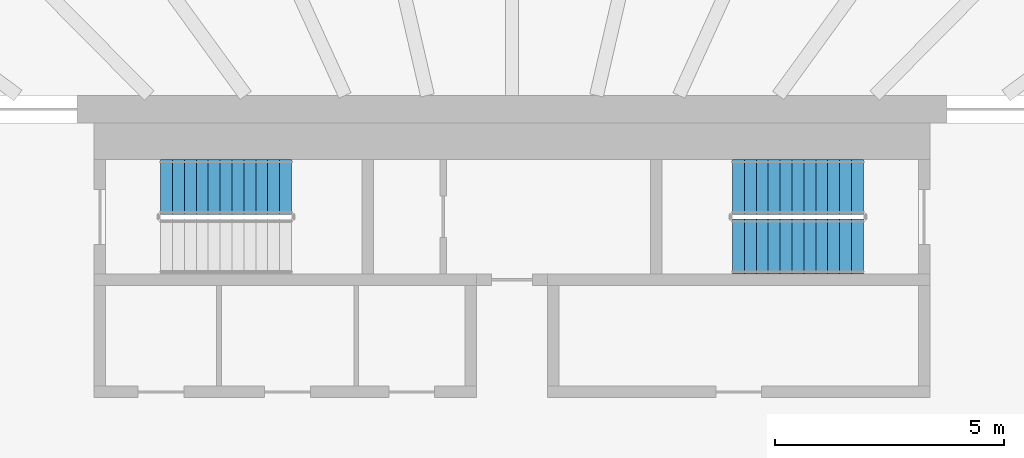
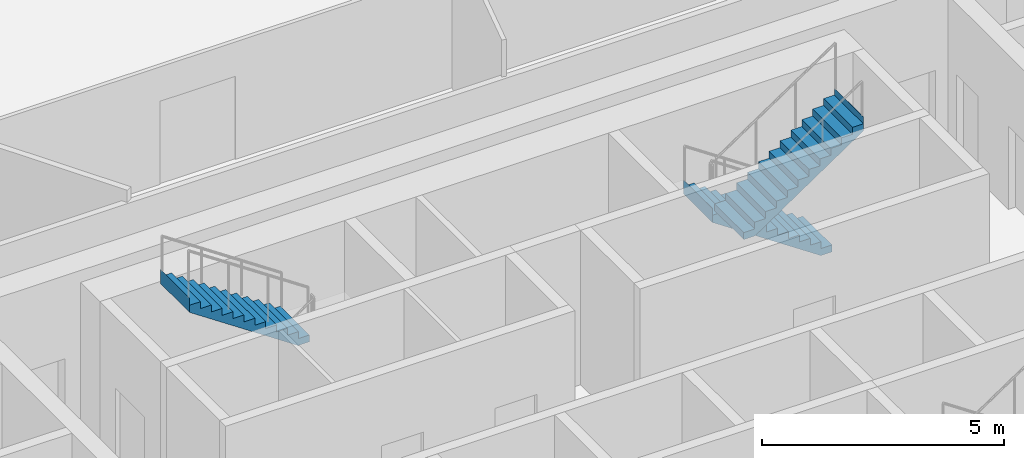
# One storey, part 19 of 25: 3 stair flights, 2 elements without a shape of their own.
"""IFC4 building model written with IfcOpenShell, lengths in metres."""

from ifc_helpers import new_model, si_unit, direction, frame, origin, place, context, subcontext, project, spatial, triangles, material, type_object, element, aggregate, save


model = new_model("IFC4")

# Units and contexts
model_context = context("Model", 3, precision=1e-05, world=origin(), true_north=direction((0.0, 1.0)))
body_context = subcontext(model_context, "Body", "Model", "MODEL_VIEW")
ifc_project = project(units=[si_unit("LENGTHUNIT", "METRE"), si_unit("AREAUNIT", "SQUARE_METRE"), si_unit("VOLUMEUNIT", "CUBIC_METRE"), si_unit("PLANEANGLEUNIT", "RADIAN"), si_unit("MASSUNIT", "GRAM", prefix="KILO")], contexts=[model_context])

# Site, building, storey
site_placement = place(None, origin())
site = spatial("IfcSite", under=ifc_project, at=site_placement, CompositionType="ELEMENT")
building_placement = place(site_placement, origin())
building = spatial("IfcBuilding", under=site, at=building_placement, Name="Sahrelin Media Tower", CompositionType="ELEMENT")
storey_placement = place(building_placement, frame((0.0, 0.0, 144.0)))
storey = spatial("IfcBuildingStorey", under=building, at=storey_placement, Name="L29", CompositionType="ELEMENT", Elevation=144.0)

# Stair, stair flight
ifc_material = material(Name="Concrete C40/50", Category="concrete")
stair_type = type_object("IfcStairType", Name="Exit stair 1200", PredefinedType="HALF_TURN_STAIR", material=ifc_material)
placement = place(storey_placement, origin())
stair_1 = element("IfcStair", 1, at=placement, inside=storey, type_object=stair_type, Name="L29 Exit stair ST1", PredefinedType="HALF_TURN_STAIR")
stair_flight_type = type_object("IfcStairFlightType", Name="Stair flight 1200", PredefinedType="STRAIGHT", material=ifc_material)
stair_flight_1_placement = place(storey_placement, frame((-4.81494140625, 6.0, 2.10009765625), z_axis=(0.0, 0.0, 1.0), x_axis=(-1.0, 0.0, 0.0)))
stair_flight_1 = element("IfcStairFlight", 2, at=stair_flight_1_placement, type_object=stair_flight_type, Name="ST1 flight 2", NumberOfRisers=12, NumberOfTreads=11, PredefinedType="STRAIGHT", RiserHeight=0.175, TreadLength=0.26, context=body_context, shape_type="Tessellation", body=[
    triangles([(0.2685546875, 0.60009765625, 0.0), (0.2685546875, 0.300048828125, 0.0), (0.2685546875, 0.0, 0.0), (0.2685546875, -0.300048828125, 0.0), (0.2685546875, -0.60009765625, 0.0), (2.860107421875, 0.60009765625, 1.744384765625), (2.860107421875, 0.300048828125, 1.744384765625), (2.860107421875, 0.0, 1.744384765625), (2.860107421875, -0.300048828125, 1.744384765625), (2.860107421875, -0.60009765625, 1.744384765625), (2.860107421875, 0.60009765625, 2.10009765625), (2.860107421875, 0.300048828125, 2.10009765625), (2.860107421875, 0.0, 2.10009765625), (2.860107421875, -0.300048828125, 2.10009765625), (2.860107421875, -0.60009765625, 2.10009765625), (2.85791015625, 0.60009765625, 2.10009765625), (2.85791015625, 0.300048828125, 2.10009765625), (2.85791015625, 0.0, 2.10009765625), (2.85791015625, -0.300048828125, 2.10009765625), (2.85791015625, -0.60009765625, 2.10009765625), (2.85791015625, 0.60009765625, 1.925048828125), (2.85791015625, 0.300048828125, 1.925048828125), (2.85791015625, 0.0, 1.925048828125), (2.85791015625, -0.300048828125, 1.925048828125), (2.85791015625, -0.60009765625, 1.925048828125), (2.60009765625, 0.60009765625, 1.925048828125), (2.60009765625, 0.300048828125, 1.925048828125), (2.60009765625, 0.0, 1.925048828125), (2.60009765625, -0.300048828125, 1.925048828125), (2.60009765625, -0.60009765625, 1.925048828125), (2.60009765625, 0.60009765625, 1.75), (2.60009765625, 0.300048828125, 1.75), (2.60009765625, 0.0, 1.75), (2.60009765625, -0.300048828125, 1.75), (2.60009765625, -0.60009765625, 1.75), (2.340087890625, 0.60009765625, 1.75), (2.340087890625, 0.300048828125, 1.75), (2.340087890625, 0.0, 1.75), (2.340087890625, -0.300048828125, 1.75), (2.340087890625, -0.60009765625, 1.75), (2.340087890625, 0.60009765625, 1.574951171875), (2.340087890625, 0.300048828125, 1.574951171875), (2.340087890625, 0.0, 1.574951171875), (2.340087890625, -0.300048828125, 1.574951171875), (2.340087890625, -0.60009765625, 1.574951171875), (2.080078125, 0.60009765625, 1.574951171875), (2.080078125, 0.300048828125, 1.574951171875), (2.080078125, 0.0, 1.574951171875), (2.080078125, -0.300048828125, 1.574951171875), (2.080078125, -0.60009765625, 1.574951171875), (2.080078125, 0.60009765625, 1.39990234375), (2.080078125, 0.300048828125, 1.39990234375), (2.080078125, 0.0, 1.39990234375), (2.080078125, -0.300048828125, 1.39990234375), (2.080078125, -0.60009765625, 1.39990234375), (1.820068359375, 0.60009765625, 1.39990234375), (1.820068359375, 0.300048828125, 1.39990234375), (1.820068359375, 0.0, 1.39990234375), (1.820068359375, -0.300048828125, 1.39990234375), (1.820068359375, -0.60009765625, 1.39990234375), (1.820068359375, 0.60009765625, 1.22509765625), (1.820068359375, 0.300048828125, 1.22509765625), (1.820068359375, 0.0, 1.22509765625), (1.820068359375, -0.300048828125, 1.22509765625), (1.820068359375, -0.60009765625, 1.22509765625), (1.56005859375, 0.60009765625, 1.22509765625), (1.56005859375, 0.300048828125, 1.22509765625), (1.56005859375, 0.0, 1.22509765625), (1.56005859375, -0.300048828125, 1.22509765625), (1.56005859375, -0.60009765625, 1.22509765625), (1.56005859375, 0.60009765625, 1.050048828125), (1.56005859375, 0.300048828125, 1.050048828125), (1.56005859375, 0.0, 1.050048828125), (1.56005859375, -0.300048828125, 1.050048828125), (1.56005859375, -0.60009765625, 1.050048828125), (1.300048828125, 0.60009765625, 1.050048828125), (1.300048828125, 0.300048828125, 1.050048828125), (1.300048828125, 0.0, 1.050048828125), (1.300048828125, -0.300048828125, 1.050048828125), (1.300048828125, -0.60009765625, 1.050048828125), (1.300048828125, 0.60009765625, 0.875), (1.300048828125, 0.300048828125, 0.875), (1.300048828125, 0.0, 0.875), (1.300048828125, -0.300048828125, 0.875), (1.300048828125, -0.60009765625, 0.875), (1.0400390625, 0.60009765625, 0.875), (1.0400390625, 0.300048828125, 0.875), (1.0400390625, 0.0, 0.875), (1.0400390625, -0.300048828125, 0.875), (1.0400390625, -0.60009765625, 0.875), (1.0400390625, 0.60009765625, 0.699951171875), (1.0400390625, 0.300048828125, 0.699951171875), (1.0400390625, 0.0, 0.699951171875), (1.0400390625, -0.300048828125, 0.699951171875), (1.0400390625, -0.60009765625, 0.699951171875), (0.780029296875, 0.60009765625, 0.699951171875), (0.780029296875, 0.300048828125, 0.699951171875), (0.780029296875, 0.0, 0.699951171875), (0.780029296875, -0.300048828125, 0.699951171875), (0.780029296875, -0.60009765625, 0.699951171875), (0.780029296875, 0.60009765625, 0.52490234375), (0.780029296875, 0.300048828125, 0.52490234375), (0.780029296875, 0.0, 0.52490234375), (0.780029296875, -0.300048828125, 0.52490234375), (0.780029296875, -0.60009765625, 0.52490234375), (0.52001953125, 0.60009765625, 0.52490234375), (0.52001953125, 0.300048828125, 0.52490234375), (0.52001953125, 0.0, 0.52490234375), (0.52001953125, -0.300048828125, 0.52490234375), (0.52001953125, -0.60009765625, 0.52490234375), (0.52001953125, 0.60009765625, 0.35009765625), (0.52001953125, 0.300048828125, 0.35009765625), (0.52001953125, 0.0, 0.35009765625), (0.52001953125, -0.300048828125, 0.35009765625), (0.52001953125, -0.60009765625, 0.35009765625), (0.260009765625, 0.60009765625, 0.35009765625), (0.260009765625, 0.300048828125, 0.35009765625), (0.260009765625, 0.0, 0.35009765625), (0.260009765625, -0.300048828125, 0.35009765625), (0.260009765625, -0.60009765625, 0.35009765625), (0.260009765625, 0.60009765625, 0.175048828125), (0.260009765625, 0.300048828125, 0.175048828125), (0.260009765625, 0.0, 0.175048828125), (0.260009765625, -0.300048828125, 0.175048828125), (0.260009765625, -0.60009765625, 0.175048828125), (0.0, 0.60009765625, 0.175048828125), (0.0, 0.300048828125, 0.175048828125), (0.0, 0.0, 0.175048828125), (0.0, -0.300048828125, 0.175048828125), (0.0, -0.60009765625, 0.175048828125), (0.0, 0.60009765625, 0.0), (0.0, 0.300048828125, 0.0), (0.0, 0.0, 0.0), (0.0, -0.300048828125, 0.0), (0.0, -0.60009765625, 0.0)], [[1, 6, 7], [1, 7, 2], [2, 7, 8], [2, 8, 3], [3, 8, 9], [3, 9, 4], [4, 9, 10], [4, 10, 5], [6, 11, 12], [6, 12, 7], [7, 12, 13], [7, 13, 8], [8, 13, 14], [8, 14, 9], [9, 14, 15], [9, 15, 10], [11, 16, 17], [11, 17, 12], [12, 17, 18], [12, 18, 13], [13, 18, 19], [13, 19, 14], [14, 19, 20], [14, 20, 15], [16, 21, 22], [16, 22, 17], [17, 22, 23], [17, 23, 18], [18, 23, 24], [18, 24, 19], [19, 24, 25], [19, 25, 20], [21, 26, 27], [21, 27, 22], [22, 27, 28], [22, 28, 23], [23, 28, 29], [23, 29, 24], [24, 29, 30], [24, 30, 25], [26, 31, 32], [26, 32, 27], [27, 32, 33], [27, 33, 28], [28, 33, 34], [28, 34, 29], [29, 34, 35], [29, 35, 30], [31, 36, 37], [31, 37, 32], [32, 37, 38], [32, 38, 33], [33, 38, 39], [33, 39, 34], [34, 39, 40], [34, 40, 35], [36, 41, 42], [36, 42, 37], [37, 42, 43], [37, 43, 38], [38, 43, 44], [38, 44, 39], [39, 44, 45], [39, 45, 40], [41, 46, 47], [41, 47, 42], [42, 47, 48], [42, 48, 43], [43, 48, 49], [43, 49, 44], [44, 49, 50], [44, 50, 45], [46, 51, 52], [46, 52, 47], [47, 52, 53], [47, 53, 48], [48, 53, 54], [48, 54, 49], [49, 54, 55], [49, 55, 50], [51, 56, 57], [51, 57, 52], [52, 57, 58], [52, 58, 53], [53, 58, 59], [53, 59, 54], [54, 59, 60], [54, 60, 55], [56, 61, 62], [56, 62, 57], [57, 62, 63], [57, 63, 58], [58, 63, 64], [58, 64, 59], [59, 64, 65], [59, 65, 60], [61, 66, 67], [61, 67, 62], [62, 67, 68], [62, 68, 63], [63, 68, 69], [63, 69, 64], [64, 69, 70], [64, 70, 65], [66, 71, 72], [66, 72, 67], [67, 72, 73], [67, 73, 68], [68, 73, 74], [68, 74, 69], [69, 74, 75], [69, 75, 70], [71, 76, 77], [71, 77, 72], [72, 77, 78], [72, 78, 73], [73, 78, 79], [73, 79, 74], [74, 79, 80], [74, 80, 75], [76, 81, 82], [76, 82, 77], [77, 82, 83], [77, 83, 78], [78, 83, 84], [78, 84, 79], [79, 84, 85], [79, 85, 80], [81, 86, 87], [81, 87, 82], [82, 87, 88], [82, 88, 83], [83, 88, 89], [83, 89, 84], [84, 89, 90], [84, 90, 85], [86, 91, 92], [86, 92, 87], [87, 92, 93], [87, 93, 88], [88, 93, 94], [88, 94, 89], [89, 94, 95], [89, 95, 90], [91, 96, 97], [91, 97, 92], [92, 97, 98], [92, 98, 93], [93, 98, 99], [93, 99, 94], [94, 99, 100], [94, 100, 95], [96, 101, 102], [96, 102, 97], [97, 102, 103], [97, 103, 98], [98, 103, 104], [98, 104, 99], [99, 104, 105], [99, 105, 100], [101, 106, 107], [101, 107, 102], [102, 107, 108], [102, 108, 103], [103, 108, 109], [103, 109, 104], [104, 109, 110], [104, 110, 105], [106, 111, 112], [106, 112, 107], [107, 112, 113], [107, 113, 108], [108, 113, 114], [108, 114, 109], [109, 114, 115], [109, 115, 110], [111, 116, 117], [111, 117, 112], [112, 117, 118], [112, 118, 113], [113, 118, 119], [113, 119, 114], [114, 119, 120], [114, 120, 115], [116, 121, 122], [116, 122, 117], [117, 122, 123], [117, 123, 118], [118, 123, 124], [118, 124, 119], [119, 124, 125], [119, 125, 120], [121, 126, 127], [121, 127, 122], [122, 127, 128], [122, 128, 123], [123, 128, 129], [123, 129, 124], [124, 129, 130], [124, 130, 125], [126, 131, 132], [126, 132, 127], [127, 132, 133], [127, 133, 128], [128, 133, 134], [128, 134, 129], [129, 134, 135], [129, 135, 130], [131, 1, 2], [131, 2, 132], [132, 2, 3], [132, 3, 133], [133, 3, 4], [133, 4, 134], [134, 4, 5], [134, 5, 135], [125, 130, 135], [121, 131, 126], [125, 115, 120], [121, 116, 111], [115, 105, 110], [111, 106, 101], [105, 95, 100], [101, 96, 91], [95, 85, 90], [91, 86, 81], [85, 75, 80], [81, 76, 71], [75, 65, 70], [71, 66, 61], [65, 55, 60], [61, 56, 51], [55, 45, 50], [51, 46, 41], [45, 35, 40], [41, 36, 31], [35, 25, 30], [31, 26, 21], [25, 15, 20], [21, 16, 11], [135, 5, 125], [131, 121, 1], [95, 105, 5], [91, 1, 101], [5, 10, 75], [1, 71, 6], [10, 35, 45], [6, 41, 31], [25, 10, 15], [21, 11, 6], [115, 125, 5], [111, 1, 121], [75, 85, 5], [71, 1, 81], [35, 10, 25], [31, 21, 6], [105, 115, 5], [101, 1, 111], [45, 55, 10], [41, 6, 51], [85, 95, 5], [81, 1, 91], [65, 10, 55], [61, 51, 6], [10, 65, 75], [6, 71, 61]], closed=True),
])
aggregate(stair_1, [stair_flight_1])

# Stair, stair flights
stair_2 = element("IfcStair", 3, at=placement, inside=storey, type_object=stair_type, Name="L29 Exit stair ST3", PredefinedType="HALF_TURN_STAIR")
stair_flight_2_placement = place(storey_placement, frame((7.675048828125, 6.0, 0.0), z_axis=(0.0, 0.0, 1.0), x_axis=(-1.0, 0.0, 0.0)))
stair_flight_2 = element("IfcStairFlight", 4, at=stair_flight_2_placement, type_object=stair_flight_type, Name="ST3 flight 1", NumberOfRisers=12, NumberOfTreads=11, PredefinedType="STRAIGHT", RiserHeight=0.175, TreadLength=0.26, context=body_context, shape_type="Tessellation", body=[
    triangles([(0.2685546875, 0.60009765625, 0.0), (0.2685546875, 0.300048828125, 0.0), (0.2685546875, 0.0, 0.0), (0.2685546875, -0.300048828125, 0.0), (0.2685546875, -0.60009765625, 0.0), (2.860107421875, 0.60009765625, 1.744384765625), (2.860107421875, 0.300048828125, 1.744384765625), (2.860107421875, 0.0, 1.744384765625), (2.860107421875, -0.300048828125, 1.744384765625), (2.860107421875, -0.60009765625, 1.744384765625), (2.860107421875, 0.60009765625, 2.10009765625), (2.860107421875, 0.300048828125, 2.10009765625), (2.860107421875, 0.0, 2.10009765625), (2.860107421875, -0.300048828125, 2.10009765625), (2.860107421875, -0.60009765625, 2.10009765625), (2.85791015625, 0.60009765625, 2.10009765625), (2.85791015625, 0.300048828125, 2.10009765625), (2.85791015625, 0.0, 2.10009765625), (2.85791015625, -0.300048828125, 2.10009765625), (2.85791015625, -0.60009765625, 2.10009765625), (2.85791015625, 0.60009765625, 1.925048828125), (2.85791015625, 0.300048828125, 1.925048828125), (2.85791015625, 0.0, 1.925048828125), (2.85791015625, -0.300048828125, 1.925048828125), (2.85791015625, -0.60009765625, 1.925048828125), (2.60009765625, 0.60009765625, 1.925048828125), (2.60009765625, 0.300048828125, 1.925048828125), (2.60009765625, 0.0, 1.925048828125), (2.60009765625, -0.300048828125, 1.925048828125), (2.60009765625, -0.60009765625, 1.925048828125), (2.60009765625, 0.60009765625, 1.75), (2.60009765625, 0.300048828125, 1.75), (2.60009765625, 0.0, 1.75), (2.60009765625, -0.300048828125, 1.75), (2.60009765625, -0.60009765625, 1.75), (2.340087890625, 0.60009765625, 1.75), (2.340087890625, 0.300048828125, 1.75), (2.340087890625, 0.0, 1.75), (2.340087890625, -0.300048828125, 1.75), (2.340087890625, -0.60009765625, 1.75), (2.340087890625, 0.60009765625, 1.574951171875), (2.340087890625, 0.300048828125, 1.574951171875), (2.340087890625, 0.0, 1.574951171875), (2.340087890625, -0.300048828125, 1.574951171875), (2.340087890625, -0.60009765625, 1.574951171875), (2.080078125, 0.60009765625, 1.574951171875), (2.080078125, 0.300048828125, 1.574951171875), (2.080078125, 0.0, 1.574951171875), (2.080078125, -0.300048828125, 1.574951171875), (2.080078125, -0.60009765625, 1.574951171875), (2.080078125, 0.60009765625, 1.39990234375), (2.080078125, 0.300048828125, 1.39990234375), (2.080078125, 0.0, 1.39990234375), (2.080078125, -0.300048828125, 1.39990234375), (2.080078125, -0.60009765625, 1.39990234375), (1.820068359375, 0.60009765625, 1.39990234375), (1.820068359375, 0.300048828125, 1.39990234375), (1.820068359375, 0.0, 1.39990234375), (1.820068359375, -0.300048828125, 1.39990234375), (1.820068359375, -0.60009765625, 1.39990234375), (1.820068359375, 0.60009765625, 1.22509765625), (1.820068359375, 0.300048828125, 1.22509765625), (1.820068359375, 0.0, 1.22509765625), (1.820068359375, -0.300048828125, 1.22509765625), (1.820068359375, -0.60009765625, 1.22509765625), (1.56005859375, 0.60009765625, 1.22509765625), (1.56005859375, 0.300048828125, 1.22509765625), (1.56005859375, 0.0, 1.22509765625), (1.56005859375, -0.300048828125, 1.22509765625), (1.56005859375, -0.60009765625, 1.22509765625), (1.56005859375, 0.60009765625, 1.050048828125), (1.56005859375, 0.300048828125, 1.050048828125), (1.56005859375, 0.0, 1.050048828125), (1.56005859375, -0.300048828125, 1.050048828125), (1.56005859375, -0.60009765625, 1.050048828125), (1.300048828125, 0.60009765625, 1.050048828125), (1.300048828125, 0.300048828125, 1.050048828125), (1.300048828125, 0.0, 1.050048828125), (1.300048828125, -0.300048828125, 1.050048828125), (1.300048828125, -0.60009765625, 1.050048828125), (1.300048828125, 0.60009765625, 0.875), (1.300048828125, 0.300048828125, 0.875), (1.300048828125, 0.0, 0.875), (1.300048828125, -0.300048828125, 0.875), (1.300048828125, -0.60009765625, 0.875), (1.0400390625, 0.60009765625, 0.875), (1.0400390625, 0.300048828125, 0.875), (1.0400390625, 0.0, 0.875), (1.0400390625, -0.300048828125, 0.875), (1.0400390625, -0.60009765625, 0.875), (1.0400390625, 0.60009765625, 0.699951171875), (1.0400390625, 0.300048828125, 0.699951171875), (1.0400390625, 0.0, 0.699951171875), (1.0400390625, -0.300048828125, 0.699951171875), (1.0400390625, -0.60009765625, 0.699951171875), (0.780029296875, 0.60009765625, 0.699951171875), (0.780029296875, 0.300048828125, 0.699951171875), (0.780029296875, 0.0, 0.699951171875), (0.780029296875, -0.300048828125, 0.699951171875), (0.780029296875, -0.60009765625, 0.699951171875), (0.780029296875, 0.60009765625, 0.52490234375), (0.780029296875, 0.300048828125, 0.52490234375), (0.780029296875, 0.0, 0.52490234375), (0.780029296875, -0.300048828125, 0.52490234375), (0.780029296875, -0.60009765625, 0.52490234375), (0.52001953125, 0.60009765625, 0.52490234375), (0.52001953125, 0.300048828125, 0.52490234375), (0.52001953125, 0.0, 0.52490234375), (0.52001953125, -0.300048828125, 0.52490234375), (0.52001953125, -0.60009765625, 0.52490234375), (0.52001953125, 0.60009765625, 0.35009765625), (0.52001953125, 0.300048828125, 0.35009765625), (0.52001953125, 0.0, 0.35009765625), (0.52001953125, -0.300048828125, 0.35009765625), (0.52001953125, -0.60009765625, 0.35009765625), (0.260009765625, 0.60009765625, 0.35009765625), (0.260009765625, 0.300048828125, 0.35009765625), (0.260009765625, 0.0, 0.35009765625), (0.260009765625, -0.300048828125, 0.35009765625), (0.260009765625, -0.60009765625, 0.35009765625), (0.260009765625, 0.60009765625, 0.175048828125), (0.260009765625, 0.300048828125, 0.175048828125), (0.260009765625, 0.0, 0.175048828125), (0.260009765625, -0.300048828125, 0.175048828125), (0.260009765625, -0.60009765625, 0.175048828125), (0.0, 0.60009765625, 0.175048828125), (0.0, 0.300048828125, 0.175048828125), (0.0, 0.0, 0.175048828125), (0.0, -0.300048828125, 0.175048828125), (0.0, -0.60009765625, 0.175048828125), (0.0, 0.60009765625, 0.0), (0.0, 0.300048828125, 0.0), (0.0, 0.0, 0.0), (0.0, -0.300048828125, 0.0), (0.0, -0.60009765625, 0.0)], [[1, 6, 7], [1, 7, 2], [2, 7, 8], [2, 8, 3], [3, 8, 9], [3, 9, 4], [4, 9, 10], [4, 10, 5], [6, 11, 12], [6, 12, 7], [7, 12, 13], [7, 13, 8], [8, 13, 14], [8, 14, 9], [9, 14, 15], [9, 15, 10], [11, 16, 17], [11, 17, 12], [12, 17, 18], [12, 18, 13], [13, 18, 19], [13, 19, 14], [14, 19, 20], [14, 20, 15], [16, 21, 22], [16, 22, 17], [17, 22, 23], [17, 23, 18], [18, 23, 24], [18, 24, 19], [19, 24, 25], [19, 25, 20], [21, 26, 27], [21, 27, 22], [22, 27, 28], [22, 28, 23], [23, 28, 29], [23, 29, 24], [24, 29, 30], [24, 30, 25], [26, 31, 32], [26, 32, 27], [27, 32, 33], [27, 33, 28], [28, 33, 34], [28, 34, 29], [29, 34, 35], [29, 35, 30], [31, 36, 37], [31, 37, 32], [32, 37, 38], [32, 38, 33], [33, 38, 39], [33, 39, 34], [34, 39, 40], [34, 40, 35], [36, 41, 42], [36, 42, 37], [37, 42, 43], [37, 43, 38], [38, 43, 44], [38, 44, 39], [39, 44, 45], [39, 45, 40], [41, 46, 47], [41, 47, 42], [42, 47, 48], [42, 48, 43], [43, 48, 49], [43, 49, 44], [44, 49, 50], [44, 50, 45], [46, 51, 52], [46, 52, 47], [47, 52, 53], [47, 53, 48], [48, 53, 54], [48, 54, 49], [49, 54, 55], [49, 55, 50], [51, 56, 57], [51, 57, 52], [52, 57, 58], [52, 58, 53], [53, 58, 59], [53, 59, 54], [54, 59, 60], [54, 60, 55], [56, 61, 62], [56, 62, 57], [57, 62, 63], [57, 63, 58], [58, 63, 64], [58, 64, 59], [59, 64, 65], [59, 65, 60], [61, 66, 67], [61, 67, 62], [62, 67, 68], [62, 68, 63], [63, 68, 69], [63, 69, 64], [64, 69, 70], [64, 70, 65], [66, 71, 72], [66, 72, 67], [67, 72, 73], [67, 73, 68], [68, 73, 74], [68, 74, 69], [69, 74, 75], [69, 75, 70], [71, 76, 77], [71, 77, 72], [72, 77, 78], [72, 78, 73], [73, 78, 79], [73, 79, 74], [74, 79, 80], [74, 80, 75], [76, 81, 82], [76, 82, 77], [77, 82, 83], [77, 83, 78], [78, 83, 84], [78, 84, 79], [79, 84, 85], [79, 85, 80], [81, 86, 87], [81, 87, 82], [82, 87, 88], [82, 88, 83], [83, 88, 89], [83, 89, 84], [84, 89, 90], [84, 90, 85], [86, 91, 92], [86, 92, 87], [87, 92, 93], [87, 93, 88], [88, 93, 94], [88, 94, 89], [89, 94, 95], [89, 95, 90], [91, 96, 97], [91, 97, 92], [92, 97, 98], [92, 98, 93], [93, 98, 99], [93, 99, 94], [94, 99, 100], [94, 100, 95], [96, 101, 102], [96, 102, 97], [97, 102, 103], [97, 103, 98], [98, 103, 104], [98, 104, 99], [99, 104, 105], [99, 105, 100], [101, 106, 107], [101, 107, 102], [102, 107, 108], [102, 108, 103], [103, 108, 109], [103, 109, 104], [104, 109, 110], [104, 110, 105], [106, 111, 112], [106, 112, 107], [107, 112, 113], [107, 113, 108], [108, 113, 114], [108, 114, 109], [109, 114, 115], [109, 115, 110], [111, 116, 117], [111, 117, 112], [112, 117, 118], [112, 118, 113], [113, 118, 119], [113, 119, 114], [114, 119, 120], [114, 120, 115], [116, 121, 122], [116, 122, 117], [117, 122, 123], [117, 123, 118], [118, 123, 124], [118, 124, 119], [119, 124, 125], [119, 125, 120], [121, 126, 127], [121, 127, 122], [122, 127, 128], [122, 128, 123], [123, 128, 129], [123, 129, 124], [124, 129, 130], [124, 130, 125], [126, 131, 132], [126, 132, 127], [127, 132, 133], [127, 133, 128], [128, 133, 134], [128, 134, 129], [129, 134, 135], [129, 135, 130], [131, 1, 2], [131, 2, 132], [132, 2, 3], [132, 3, 133], [133, 3, 4], [133, 4, 134], [134, 4, 5], [134, 5, 135], [125, 130, 135], [121, 131, 126], [125, 115, 120], [121, 116, 111], [115, 105, 110], [111, 106, 101], [105, 95, 100], [101, 96, 91], [95, 85, 90], [91, 86, 81], [85, 75, 80], [81, 76, 71], [75, 65, 70], [71, 66, 61], [65, 55, 60], [61, 56, 51], [55, 45, 50], [51, 46, 41], [45, 35, 40], [41, 36, 31], [35, 25, 30], [31, 26, 21], [25, 15, 20], [21, 16, 11], [135, 5, 125], [131, 121, 1], [95, 105, 5], [91, 1, 101], [5, 10, 75], [1, 71, 6], [10, 35, 45], [6, 41, 31], [25, 10, 15], [21, 11, 6], [115, 125, 5], [111, 1, 121], [75, 85, 5], [71, 1, 81], [35, 10, 25], [31, 21, 6], [105, 115, 5], [101, 1, 111], [45, 55, 10], [41, 6, 51], [85, 95, 5], [81, 1, 91], [65, 10, 55], [61, 51, 6], [10, 65, 75], [6, 71, 61]], closed=True),
])
stair_flight_3_placement = place(storey_placement, frame((4.81494140625, 4.699951171875, 2.10009765625), z_axis=(0.0, 0.0, 1.0), x_axis=(1.0, 0.0, 0.0)))
stair_flight_3 = element("IfcStairFlight", 5, at=stair_flight_3_placement, type_object=stair_flight_type, Name="ST3 flight 2", NumberOfRisers=12, NumberOfTreads=11, PredefinedType="STRAIGHT", RiserHeight=0.175, TreadLength=0.26, context=body_context, shape_type="Tessellation", body=[
    triangles([(0.2685546875, 0.60009765625, 0.0), (0.2685546875, 0.300048828125, 0.0), (0.2685546875, 0.0, 0.0), (0.2685546875, -0.300048828125, 0.0), (0.2685546875, -0.60009765625, 0.0), (2.860107421875, 0.60009765625, 1.744384765625), (2.860107421875, 0.300048828125, 1.744384765625), (2.860107421875, 0.0, 1.744384765625), (2.860107421875, -0.300048828125, 1.744384765625), (2.860107421875, -0.60009765625, 1.744384765625), (2.860107421875, 0.60009765625, 2.10009765625), (2.860107421875, 0.300048828125, 2.10009765625), (2.860107421875, 0.0, 2.10009765625), (2.860107421875, -0.300048828125, 2.10009765625), (2.860107421875, -0.60009765625, 2.10009765625), (2.85791015625, 0.60009765625, 2.10009765625), (2.85791015625, 0.300048828125, 2.10009765625), (2.85791015625, 0.0, 2.10009765625), (2.85791015625, -0.300048828125, 2.10009765625), (2.85791015625, -0.60009765625, 2.10009765625), (2.85791015625, 0.60009765625, 1.925048828125), (2.85791015625, 0.300048828125, 1.925048828125), (2.85791015625, 0.0, 1.925048828125), (2.85791015625, -0.300048828125, 1.925048828125), (2.85791015625, -0.60009765625, 1.925048828125), (2.60009765625, 0.60009765625, 1.925048828125), (2.60009765625, 0.300048828125, 1.925048828125), (2.60009765625, 0.0, 1.925048828125), (2.60009765625, -0.300048828125, 1.925048828125), (2.60009765625, -0.60009765625, 1.925048828125), (2.60009765625, 0.60009765625, 1.75), (2.60009765625, 0.300048828125, 1.75), (2.60009765625, 0.0, 1.75), (2.60009765625, -0.300048828125, 1.75), (2.60009765625, -0.60009765625, 1.75), (2.340087890625, 0.60009765625, 1.75), (2.340087890625, 0.300048828125, 1.75), (2.340087890625, 0.0, 1.75), (2.340087890625, -0.300048828125, 1.75), (2.340087890625, -0.60009765625, 1.75), (2.340087890625, 0.60009765625, 1.574951171875), (2.340087890625, 0.300048828125, 1.574951171875), (2.340087890625, 0.0, 1.574951171875), (2.340087890625, -0.300048828125, 1.574951171875), (2.340087890625, -0.60009765625, 1.574951171875), (2.080078125, 0.60009765625, 1.574951171875), (2.080078125, 0.300048828125, 1.574951171875), (2.080078125, 0.0, 1.574951171875), (2.080078125, -0.300048828125, 1.574951171875), (2.080078125, -0.60009765625, 1.574951171875), (2.080078125, 0.60009765625, 1.39990234375), (2.080078125, 0.300048828125, 1.39990234375), (2.080078125, 0.0, 1.39990234375), (2.080078125, -0.300048828125, 1.39990234375), (2.080078125, -0.60009765625, 1.39990234375), (1.820068359375, 0.60009765625, 1.39990234375), (1.820068359375, 0.300048828125, 1.39990234375), (1.820068359375, 0.0, 1.39990234375), (1.820068359375, -0.300048828125, 1.39990234375), (1.820068359375, -0.60009765625, 1.39990234375), (1.820068359375, 0.60009765625, 1.22509765625), (1.820068359375, 0.300048828125, 1.22509765625), (1.820068359375, 0.0, 1.22509765625), (1.820068359375, -0.300048828125, 1.22509765625), (1.820068359375, -0.60009765625, 1.22509765625), (1.56005859375, 0.60009765625, 1.22509765625), (1.56005859375, 0.300048828125, 1.22509765625), (1.56005859375, 0.0, 1.22509765625), (1.56005859375, -0.300048828125, 1.22509765625), (1.56005859375, -0.60009765625, 1.22509765625), (1.56005859375, 0.60009765625, 1.050048828125), (1.56005859375, 0.300048828125, 1.050048828125), (1.56005859375, 0.0, 1.050048828125), (1.56005859375, -0.300048828125, 1.050048828125), (1.56005859375, -0.60009765625, 1.050048828125), (1.300048828125, 0.60009765625, 1.050048828125), (1.300048828125, 0.300048828125, 1.050048828125), (1.300048828125, 0.0, 1.050048828125), (1.300048828125, -0.300048828125, 1.050048828125), (1.300048828125, -0.60009765625, 1.050048828125), (1.300048828125, 0.60009765625, 0.875), (1.300048828125, 0.300048828125, 0.875), (1.300048828125, 0.0, 0.875), (1.300048828125, -0.300048828125, 0.875), (1.300048828125, -0.60009765625, 0.875), (1.0400390625, 0.60009765625, 0.875), (1.0400390625, 0.300048828125, 0.875), (1.0400390625, 0.0, 0.875), (1.0400390625, -0.300048828125, 0.875), (1.0400390625, -0.60009765625, 0.875), (1.0400390625, 0.60009765625, 0.699951171875), (1.0400390625, 0.300048828125, 0.699951171875), (1.0400390625, 0.0, 0.699951171875), (1.0400390625, -0.300048828125, 0.699951171875), (1.0400390625, -0.60009765625, 0.699951171875), (0.780029296875, 0.60009765625, 0.699951171875), (0.780029296875, 0.300048828125, 0.699951171875), (0.780029296875, 0.0, 0.699951171875), (0.780029296875, -0.300048828125, 0.699951171875), (0.780029296875, -0.60009765625, 0.699951171875), (0.780029296875, 0.60009765625, 0.52490234375), (0.780029296875, 0.300048828125, 0.52490234375), (0.780029296875, 0.0, 0.52490234375), (0.780029296875, -0.300048828125, 0.52490234375), (0.780029296875, -0.60009765625, 0.52490234375), (0.52001953125, 0.60009765625, 0.52490234375), (0.52001953125, 0.300048828125, 0.52490234375), (0.52001953125, 0.0, 0.52490234375), (0.52001953125, -0.300048828125, 0.52490234375), (0.52001953125, -0.60009765625, 0.52490234375), (0.52001953125, 0.60009765625, 0.35009765625), (0.52001953125, 0.300048828125, 0.35009765625), (0.52001953125, 0.0, 0.35009765625), (0.52001953125, -0.300048828125, 0.35009765625), (0.52001953125, -0.60009765625, 0.35009765625), (0.260009765625, 0.60009765625, 0.35009765625), (0.260009765625, 0.300048828125, 0.35009765625), (0.260009765625, 0.0, 0.35009765625), (0.260009765625, -0.300048828125, 0.35009765625), (0.260009765625, -0.60009765625, 0.35009765625), (0.260009765625, 0.60009765625, 0.175048828125), (0.260009765625, 0.300048828125, 0.175048828125), (0.260009765625, 0.0, 0.175048828125), (0.260009765625, -0.300048828125, 0.175048828125), (0.260009765625, -0.60009765625, 0.175048828125), (0.0, 0.60009765625, 0.175048828125), (0.0, 0.300048828125, 0.175048828125), (0.0, 0.0, 0.175048828125), (0.0, -0.300048828125, 0.175048828125), (0.0, -0.60009765625, 0.175048828125), (0.0, 0.60009765625, 0.0), (0.0, 0.300048828125, 0.0), (0.0, 0.0, 0.0), (0.0, -0.300048828125, 0.0), (0.0, -0.60009765625, 0.0)], [[1, 6, 7], [1, 7, 2], [2, 7, 8], [2, 8, 3], [3, 8, 9], [3, 9, 4], [4, 9, 10], [4, 10, 5], [6, 11, 12], [6, 12, 7], [7, 12, 13], [7, 13, 8], [8, 13, 14], [8, 14, 9], [9, 14, 15], [9, 15, 10], [11, 16, 17], [11, 17, 12], [12, 17, 18], [12, 18, 13], [13, 18, 19], [13, 19, 14], [14, 19, 20], [14, 20, 15], [16, 21, 22], [16, 22, 17], [17, 22, 23], [17, 23, 18], [18, 23, 24], [18, 24, 19], [19, 24, 25], [19, 25, 20], [21, 26, 27], [21, 27, 22], [22, 27, 28], [22, 28, 23], [23, 28, 29], [23, 29, 24], [24, 29, 30], [24, 30, 25], [26, 31, 32], [26, 32, 27], [27, 32, 33], [27, 33, 28], [28, 33, 34], [28, 34, 29], [29, 34, 35], [29, 35, 30], [31, 36, 37], [31, 37, 32], [32, 37, 38], [32, 38, 33], [33, 38, 39], [33, 39, 34], [34, 39, 40], [34, 40, 35], [36, 41, 42], [36, 42, 37], [37, 42, 43], [37, 43, 38], [38, 43, 44], [38, 44, 39], [39, 44, 45], [39, 45, 40], [41, 46, 47], [41, 47, 42], [42, 47, 48], [42, 48, 43], [43, 48, 49], [43, 49, 44], [44, 49, 50], [44, 50, 45], [46, 51, 52], [46, 52, 47], [47, 52, 53], [47, 53, 48], [48, 53, 54], [48, 54, 49], [49, 54, 55], [49, 55, 50], [51, 56, 57], [51, 57, 52], [52, 57, 58], [52, 58, 53], [53, 58, 59], [53, 59, 54], [54, 59, 60], [54, 60, 55], [56, 61, 62], [56, 62, 57], [57, 62, 63], [57, 63, 58], [58, 63, 64], [58, 64, 59], [59, 64, 65], [59, 65, 60], [61, 66, 67], [61, 67, 62], [62, 67, 68], [62, 68, 63], [63, 68, 69], [63, 69, 64], [64, 69, 70], [64, 70, 65], [66, 71, 72], [66, 72, 67], [67, 72, 73], [67, 73, 68], [68, 73, 74], [68, 74, 69], [69, 74, 75], [69, 75, 70], [71, 76, 77], [71, 77, 72], [72, 77, 78], [72, 78, 73], [73, 78, 79], [73, 79, 74], [74, 79, 80], [74, 80, 75], [76, 81, 82], [76, 82, 77], [77, 82, 83], [77, 83, 78], [78, 83, 84], [78, 84, 79], [79, 84, 85], [79, 85, 80], [81, 86, 87], [81, 87, 82], [82, 87, 88], [82, 88, 83], [83, 88, 89], [83, 89, 84], [84, 89, 90], [84, 90, 85], [86, 91, 92], [86, 92, 87], [87, 92, 93], [87, 93, 88], [88, 93, 94], [88, 94, 89], [89, 94, 95], [89, 95, 90], [91, 96, 97], [91, 97, 92], [92, 97, 98], [92, 98, 93], [93, 98, 99], [93, 99, 94], [94, 99, 100], [94, 100, 95], [96, 101, 102], [96, 102, 97], [97, 102, 103], [97, 103, 98], [98, 103, 104], [98, 104, 99], [99, 104, 105], [99, 105, 100], [101, 106, 107], [101, 107, 102], [102, 107, 108], [102, 108, 103], [103, 108, 109], [103, 109, 104], [104, 109, 110], [104, 110, 105], [106, 111, 112], [106, 112, 107], [107, 112, 113], [107, 113, 108], [108, 113, 114], [108, 114, 109], [109, 114, 115], [109, 115, 110], [111, 116, 117], [111, 117, 112], [112, 117, 118], [112, 118, 113], [113, 118, 119], [113, 119, 114], [114, 119, 120], [114, 120, 115], [116, 121, 122], [116, 122, 117], [117, 122, 123], [117, 123, 118], [118, 123, 124], [118, 124, 119], [119, 124, 125], [119, 125, 120], [121, 126, 127], [121, 127, 122], [122, 127, 128], [122, 128, 123], [123, 128, 129], [123, 129, 124], [124, 129, 130], [124, 130, 125], [126, 131, 132], [126, 132, 127], [127, 132, 133], [127, 133, 128], [128, 133, 134], [128, 134, 129], [129, 134, 135], [129, 135, 130], [131, 1, 2], [131, 2, 132], [132, 2, 3], [132, 3, 133], [133, 3, 4], [133, 4, 134], [134, 4, 5], [134, 5, 135], [125, 130, 135], [121, 131, 126], [125, 115, 120], [121, 116, 111], [115, 105, 110], [111, 106, 101], [105, 95, 100], [101, 96, 91], [95, 85, 90], [91, 86, 81], [85, 75, 80], [81, 76, 71], [75, 65, 70], [71, 66, 61], [65, 55, 60], [61, 56, 51], [55, 45, 50], [51, 46, 41], [45, 35, 40], [41, 36, 31], [35, 25, 30], [31, 26, 21], [25, 15, 20], [21, 16, 11], [135, 5, 125], [131, 121, 1], [95, 105, 5], [91, 1, 101], [5, 10, 75], [1, 71, 6], [10, 35, 45], [6, 41, 31], [25, 10, 15], [21, 11, 6], [115, 125, 5], [111, 1, 121], [75, 85, 5], [71, 1, 81], [35, 10, 25], [31, 21, 6], [105, 115, 5], [101, 1, 111], [45, 55, 10], [41, 6, 51], [85, 95, 5], [81, 1, 91], [65, 10, 55], [61, 51, 6], [10, 65, 75], [6, 71, 61]], closed=True),
])
aggregate(stair_2, [stair_flight_2, stair_flight_3])

save(model, "model.ifc")
